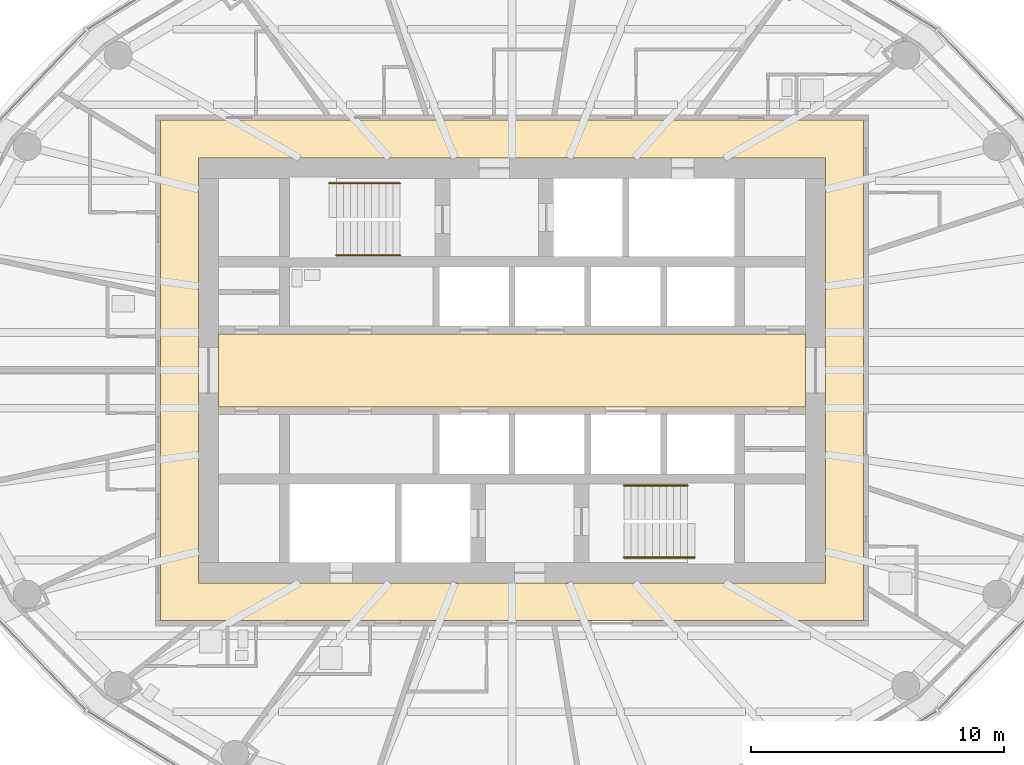
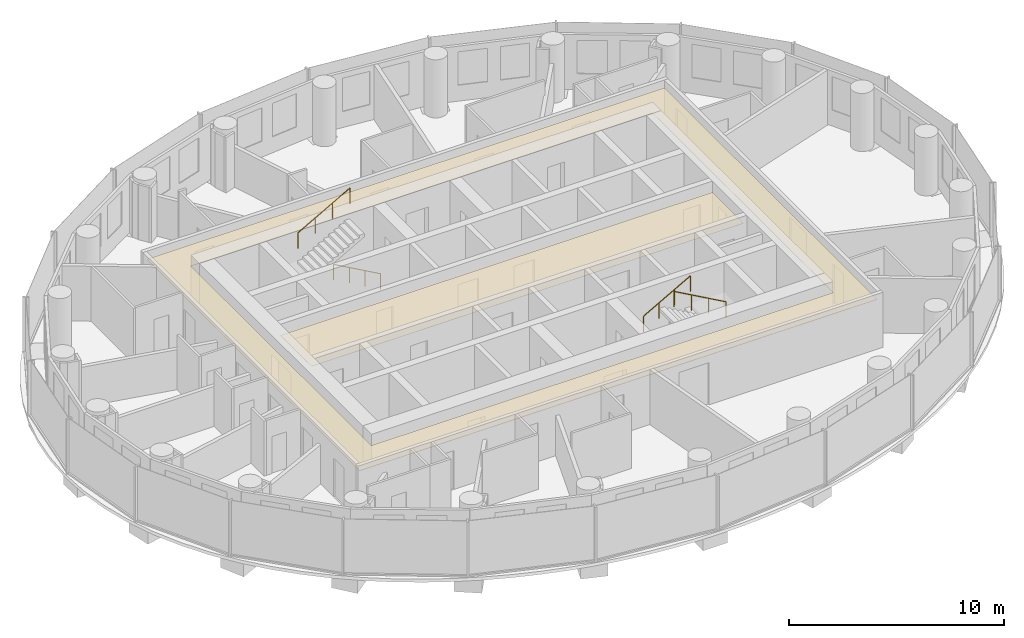
# One storey, part 15 of 16: 4 railings, 2 coverings.
"""IFC4 building model written with IfcOpenShell, lengths in metres."""

from ifc_helpers import new_model, si_unit, direction, frame, origin, origin_2d, place, context, subcontext, project, spatial, polyline, circle, outline, extrude, material, layer, layer_set, type_object, element, save


model = new_model("IFC4")

# Units and contexts
model_context = context("Model", 3, precision=1e-05, world=origin(), true_north=direction((0.0, 1.0)))
body_context = subcontext(model_context, "Body", "Model", "MODEL_VIEW")
ifc_project = project(units=[si_unit("LENGTHUNIT", "METRE"), si_unit("AREAUNIT", "SQUARE_METRE"), si_unit("VOLUMEUNIT", "CUBIC_METRE"), si_unit("PLANEANGLEUNIT", "RADIAN"), si_unit("MASSUNIT", "GRAM", prefix="KILO")], contexts=[model_context])

# Site, building, storey
site_placement = place(None, origin())
site = spatial("IfcSite", under=ifc_project, at=site_placement, CompositionType="ELEMENT")
building_placement = place(site_placement, origin())
building = spatial("IfcBuilding", under=site, at=building_placement, Name="Hankou Lantern Tower", CompositionType="ELEMENT")
storey_placement = place(building_placement, frame((0.0, 0.0, 143.39990234375)))
storey = spatial("IfcBuildingStorey", under=building, at=storey_placement, Name="L37", CompositionType="ELEMENT", Elevation=143.39990234375)

# Coverings
ifc_material_1 = material(Name="Black painted aluminium linear ceiling panels", Category="aluminium")
ifc_layer_1 = layer(ifc_material_1, 0.02490234375)
ifc_layer_set_1 = layer_set([ifc_layer_1], Name="Black painted aluminium linear ceiling panels")
covering_type_1 = type_object("IfcCoveringType", Name="CL1 CORRIDOR CEILING 25", PredefinedType="CEILING", material=ifc_layer_set_1)
covering_1_placement = place(storey_placement, frame((0.0, 0.0, 2.64501953125)))
element("IfcCovering", 1, at=covering_1_placement, inside=storey, type_object=covering_type_1, Name="Corridor ceiling L37", PredefinedType="CEILING", context=body_context, shape_type="SweptSolid", body=[
    extrude(outline(polyline([(-13.89990234375, -9.89990234375), (13.89990234375, -9.89990234375), (13.89990234375, 9.89990234375), (-13.89990234375, 9.89990234375), (-13.89990234375, -9.89990234375)]), holes=[polyline([(-12.39990234375, 8.39990234375), (12.39990234375, 8.39990234375), (12.39990234375, -8.39990234375), (-12.39990234375, -8.39990234375), (-12.39990234375, 8.39990234375)])]), origin(), (0.0, 0.0, 1.0), 0.025146484375),
])
ifc_material_2 = material(Name="Perforated black aluminium acoustic tray ceiling", Category="aluminium")
ifc_layer_2 = layer(ifc_material_2, 0.014892578125)
ifc_layer_set_2 = layer_set([ifc_layer_2], Name="Perforated black aluminium acoustic tray ceiling")
covering_type_2 = type_object("IfcCoveringType", Name="CL2 LIFT LOBBY CEILING 15", PredefinedType="CEILING", material=ifc_layer_set_2)
covering_2_placement = place(storey_placement, frame((0.0, 0.0, 2.655029296875)))
element("IfcCovering", 2, at=covering_2_placement, inside=storey, type_object=covering_type_2, Name="Lift lobby ceiling L37", PredefinedType="CEILING", context=body_context, shape_type="SweptSolid", body=[
    extrude(outline(polyline([(-11.60009765625, -1.449951171875), (11.60009765625, -1.449951171875), (11.60009765625, 1.449951171875), (-11.60009765625, 1.449951171875), (-11.60009765625, -1.449951171875)])), origin(), (0.0, 0.0, 1.0), 0.01513671875),
])

# Railings
ifc_material_3 = material(Name="Steel handrail", Category="steel")
railing_type = type_object("IfcRailingType", Name="HR1 STAIR HANDRAIL", PredefinedType="HANDRAIL", material=ifc_material_3)
railing_1_placement = place(storey_placement, frame((-4.429931640625, 4.550048828125, 0.900146484375)))
element("IfcRailing", 3, at=railing_1_placement, inside=storey, type_object=railing_type, Name="Handrail stair STA L37 flight 1", PredefinedType="HANDRAIL", context=body_context, shape_type="SweptSolid", body=[
    extrude(circle(Radius=0.02392578125, at=origin_2d()), frame((0.0, 0.0, 0.8759765625), z_axis=(-0.872048945198, 0.0, 0.489418672692), x_axis=(0.0, -1.0, 0.0)), (0.0, 0.0, 1.0), 2.8896484375),
    extrude(circle(Radius=0.02099609375, at=origin_2d()), origin(), (0.0, 0.0, 1.0), 0.851806640625),
    extrude(circle(Radius=0.02099609375, at=origin_2d()), frame((-0.840087890625, 0.0, 0.471435546875)), (0.0, 0.0, 1.0), 0.851806640625),
    extrude(circle(Radius=0.02099609375, at=origin_2d()), frame((-1.679931640625, 0.0, 0.94287109375)), (0.0, 0.0, 1.0), 0.851806640625),
    extrude(circle(Radius=0.02099609375, at=origin_2d()), frame((-2.52001953125, 0.0, 1.414306640625)), (0.0, 0.0, 1.0), 0.851806640625),
])
railing_2_placement = place(storey_placement, frame((-7.22998046875, 7.39990234375, 2.471435546875)))
element("IfcRailing", 4, at=railing_2_placement, inside=storey, type_object=railing_type, Name="Handrail stair STA L37 flight 2", PredefinedType="HANDRAIL", context=body_context, shape_type="SweptSolid", body=[
    extrude(circle(Radius=0.02392578125, at=origin_2d()), frame((0.0, 0.0, 0.8759765625), z_axis=(0.872040151574, 0.0, 0.489434340891), x_axis=(0.0, 1.0, 0.0)), (0.0, 0.0, 1.0), 3.2109375),
    extrude(circle(Radius=0.02099609375, at=origin_2d()), origin(), (0.0, 0.0, 1.0), 0.851806640625),
    extrude(circle(Radius=0.02099609375, at=origin_2d()), frame((0.933349609375, 0.0, 0.52392578125)), (0.0, 0.0, 1.0), 0.851806640625),
    extrude(circle(Radius=0.02099609375, at=origin_2d()), frame((1.86669921875, 0.0, 1.047607421875)), (0.0, 0.0, 1.0), 0.851806640625),
    extrude(circle(Radius=0.02099609375, at=origin_2d()), frame((2.800048828125, 0.0, 1.571533203125)), (0.0, 0.0, 1.0), 0.851806640625),
])
railing_3_placement = place(storey_placement, frame((4.429931640625, -4.550048828125, 0.900146484375)))
element("IfcRailing", 5, at=railing_3_placement, inside=storey, type_object=railing_type, Name="Handrail stair STB L37 flight 1", PredefinedType="HANDRAIL", context=body_context, shape_type="SweptSolid", body=[
    extrude(circle(Radius=0.02392578125, at=origin_2d()), frame((0.0, 0.0, 0.8759765625), z_axis=(0.872048945198, 0.0, 0.489418672692), x_axis=(0.0, 1.0, 0.0)), (0.0, 0.0, 1.0), 2.8896484375),
    extrude(circle(Radius=0.02099609375, at=origin_2d()), origin(), (0.0, 0.0, 1.0), 0.851806640625),
    extrude(circle(Radius=0.02099609375, at=origin_2d()), frame((0.840087890625, 0.0, 0.471435546875)), (0.0, 0.0, 1.0), 0.851806640625),
    extrude(circle(Radius=0.02099609375, at=origin_2d()), frame((1.679931640625, 0.0, 0.94287109375)), (0.0, 0.0, 1.0), 0.851806640625),
    extrude(circle(Radius=0.02099609375, at=origin_2d()), frame((2.52001953125, 0.0, 1.414306640625)), (0.0, 0.0, 1.0), 0.851806640625),
])
railing_4_placement = place(storey_placement, frame((7.22998046875, -7.39990234375, 2.471435546875)))
element("IfcRailing", 6, at=railing_4_placement, inside=storey, type_object=railing_type, Name="Handrail stair STB L37 flight 2", PredefinedType="HANDRAIL", context=body_context, shape_type="SweptSolid", body=[
    extrude(circle(Radius=0.02392578125, at=origin_2d()), frame((0.0, 0.0, 0.8759765625), z_axis=(-0.872040151574, 0.0, 0.489434340891), x_axis=(0.0, -1.0, 0.0)), (0.0, 0.0, 1.0), 3.2109375),
    extrude(circle(Radius=0.02099609375, at=origin_2d()), origin(), (0.0, 0.0, 1.0), 0.851806640625),
    extrude(circle(Radius=0.02099609375, at=origin_2d()), frame((-0.933349609375, 0.0, 0.52392578125)), (0.0, 0.0, 1.0), 0.851806640625),
    extrude(circle(Radius=0.02099609375, at=origin_2d()), frame((-1.86669921875, 0.0, 1.047607421875)), (0.0, 0.0, 1.0), 0.851806640625),
    extrude(circle(Radius=0.02099609375, at=origin_2d()), frame((-2.800048828125, 0.0, 1.571533203125)), (0.0, 0.0, 1.0), 0.851806640625),
])

save(model, "model.ifc")
